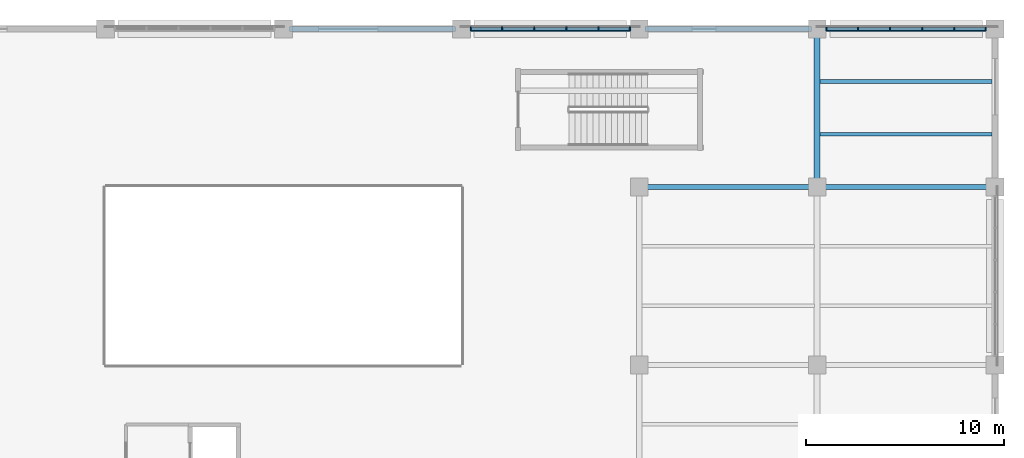
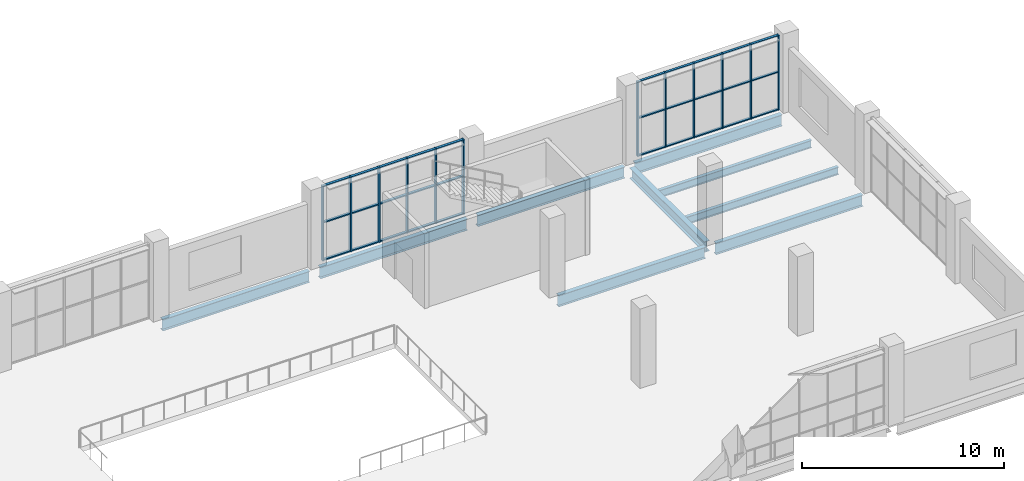
# One storey, part 70 of 183: 42 members, 9 beams, 2 elements without a shape of their own.
"""IFC4 building model written with IfcOpenShell, lengths in metres."""

import ifcopenshell
import ifcopenshell.guid

model = None  # the IFC model being written
_history = None  # IfcOwnerHistory: only IFC2X3 demands one
_inside = {}  # id of a spatial element -> (the spatial element, [elements in it])
_under = {}  # id of a project, library or spatial element -> (it, [spatial elements below it])
_declared = {}  # id of a project -> (the project, [libraries it declares])
_typed = {}  # id of a type object -> (the type object, [elements of that type])
_made_of = {}  # id of a material, layer set ... -> (it, [elements and type objects made of it])


def new_model(schema):
    """Start an empty IFC model of exactly this schema.

    Asked for "IFC4X3", IfcOpenShell would pick the latest addendum, in which some entities
    have other attributes; the version numbers below select the first issue.
    IFC2X3 requires an IfcOwnerHistory on every rooted entity: one is made here for all.
    """
    global model, _history
    if schema == "IFC4X3":
        model = ifcopenshell.file(schema_version=(4, 3, 0, 0))
    else:
        model = ifcopenshell.file(schema=schema)
    _inside.clear()
    _under.clear()
    _declared.clear()
    _typed.clear()
    _made_of.clear()
    _history = None
    if model.schema == "IFC2X3":
        org = make("IfcOrganization", Name="unknown")
        user = make(
            "IfcPersonAndOrganization",
            ThePerson=make("IfcPerson", FamilyName="unknown"),
            TheOrganization=org,
        )
        app = make(
            "IfcApplication",
            ApplicationDeveloper=org,
            Version="unknown",
            ApplicationFullName="unknown",
            ApplicationIdentifier="unknown",
        )
        _history = make(
            "IfcOwnerHistory",
            OwningUser=user,
            OwningApplication=app,
            ChangeAction="ADDED",
            CreationDate=0,
        )
    return model


def make(cls, **values):
    """One entity of the class cls with the attributes given. An attribute that is None is left unset."""
    return model.create_entity(
        cls, **{name: value for name, value in values.items() if value is not None}
    )


def rooted(cls, **values):
    """An entity with a GlobalId (a new one), such as an element, a storey or a relation."""
    return make(cls, GlobalId=ifcopenshell.guid.new(), OwnerHistory=_history, **values)


def si_unit(unit_type, name, prefix=None):
    """IfcSIUnit, for example si_unit("LENGTHUNIT", "METRE", prefix="MILLI")."""
    return make("IfcSIUnit", UnitType=unit_type, Prefix=prefix, Name=name)


def assignment(units):
    """IfcUnitAssignment: the units of a project."""
    return None if units is None else make("IfcUnitAssignment", Units=units)


def point(xyz):
    """IfcCartesianPoint."""
    return None if xyz is None else make("IfcCartesianPoint", Coordinates=xyz)


def direction(xyz):
    """IfcDirection."""
    return None if xyz is None else make("IfcDirection", DirectionRatios=xyz)


def frame(location, z_axis=None, x_axis=None):
    """IfcAxis2Placement3D, a coordinate frame: its origin and axes. An axis left out is left unset."""
    return make(
        "IfcAxis2Placement3D",
        Location=point(location),
        Axis=direction(z_axis),
        RefDirection=direction(x_axis),
    )


def frame_2d(location, x_axis=None):
    """IfcAxis2Placement2D, a coordinate frame in the plane: its origin and x axis."""
    return make(
        "IfcAxis2Placement2D", Location=point(location), RefDirection=direction(x_axis)
    )


def origin():
    """The frame at (0, 0, 0) with its axes left unset."""
    return frame((0.0, 0.0, 0.0))


def origin_2d():
    """The frame at (0, 0) in the plane with its x axis left unset."""
    return frame_2d((0.0, 0.0))


def place(relative_to, where):
    """IfcLocalPlacement: puts the frame where relative to a parent placement (None: the world)."""
    return make(
        "IfcLocalPlacement", PlacementRelTo=relative_to, RelativePlacement=where
    )


def context(
    kind, dimensions, precision=None, world=None, true_north=None, identifier=None
):
    """IfcGeometricRepresentationContext, for example the 3D "Model" context."""
    return make(
        "IfcGeometricRepresentationContext",
        ContextIdentifier=identifier,
        ContextType=kind,
        CoordinateSpaceDimension=dimensions,
        Precision=precision,
        WorldCoordinateSystem=world,
        TrueNorth=true_north,
    )


def subcontext(parent, identifier, kind, view, scale=None):
    """IfcGeometricRepresentationSubContext, for example "Body" below "Model"."""
    return make(
        "IfcGeometricRepresentationSubContext",
        ContextIdentifier=identifier,
        ContextType=kind,
        ParentContext=parent,
        TargetScale=scale,
        TargetView=view,
    )


def project(units=None, contexts=None):
    """IfcProject with its units and contexts."""
    return rooted(
        "IfcProject",
        Name="project",
        RepresentationContexts=contexts,
        UnitsInContext=assignment(units),
    )


def spatial(cls, under=None, at=None, **own):
    """A site, building, storey or space (cls), placed at a placement, below another one or the project."""
    s = rooted(cls, ObjectPlacement=at, **own)
    if under is not None:
        _under.setdefault(under.id(), (under, []))[1].append(s)
    return s


def profile(cls, at=None, kind="AREA", **sizes):
    """A parametric profile (cls). Its sizes go by their IFC names, for example OverallWidth=200.0."""
    return make(cls, ProfileType=kind, Position=at, **sizes)


def rectangle(**sizes):
    """IfcRectangleProfileDef."""
    return profile("IfcRectangleProfileDef", **sizes)


def i_section(**sizes):
    """IfcIShapeProfileDef."""
    return profile("IfcIShapeProfileDef", **sizes)


def extrude(swept, where, along, depth):
    """IfcExtrudedAreaSolid: the profile swept, set in the frame where, extruded along a direction by depth."""
    return make(
        "IfcExtrudedAreaSolid",
        SweptArea=swept,
        Position=where,
        ExtrudedDirection=direction(along),
        Depth=depth,
    )


def shape(context_of_items, identifier, shape_type, items):
    """IfcShapeRepresentation: the items that make up one representation, for example the "Body"."""
    return make(
        "IfcShapeRepresentation",
        ContextOfItems=context_of_items,
        RepresentationIdentifier=identifier,
        RepresentationType=shape_type,
        Items=items,
    )


def material(Name=None, Category=None):
    """IfcMaterial."""
    return make("IfcMaterial", Name=Name, Category=Category)


def material_profile(
    of_material, cross_section, Name=None, Category=None, Priority=None
):
    """IfcMaterialProfile: a cross section and its material."""
    return make(
        "IfcMaterialProfile",
        Name=Name,
        Material=of_material,
        Profile=cross_section,
        Priority=Priority,
        Category=Category,
    )


def profile_set(profiles, Name=None, composite=None):
    """IfcMaterialProfileSet."""
    return make(
        "IfcMaterialProfileSet",
        Name=Name,
        MaterialProfiles=profiles,
        CompositeProfile=composite,
    )


def made_of(thing, what):
    """Note that an element or type object is made of a material, layer set ...; save() writes the relation."""
    if what is not None:
        _made_of.setdefault(what.id(), (what, []))[1].append(thing)
    return thing


def type_object(cls, material=None, **own):
    """A type object (cls), such as IfcWallType, which elements share."""
    return made_of(rooted(cls, **own), material)


def element(
    cls,
    number,
    at=None,
    inside=None,
    cuts=None,
    type_object=None,
    material=None,
    context=None,
    identifier="Body",
    shape_type=None,
    held_by="IfcProductDefinitionShape",
    body=None,
    shapes=None,
    **own,
):
    """One element of the class cls, such as IfcWall. Its Tag is "e" and its number.

    at: its placement. inside: the storey or other place that contains it. cuts: it is an
    opening in that element (IfcRelVoidsElement). A single representation is given by context,
    identifier, shape_type and body (its items); several are given by shapes. held_by: the class
    of the entity that holds the representations. save() writes the other relations.
    """
    e = rooted(cls, Tag="e%d" % number, ObjectPlacement=at, **own)
    if body is not None:
        shapes = [shape(context, identifier, shape_type, body)]
    if shapes is not None:
        e.Representation = make(held_by, Representations=shapes)
    if inside is not None:
        _inside.setdefault(inside.id(), (inside, []))[1].append(e)
    if cuts is not None:
        rooted(
            "IfcRelVoidsElement", RelatingBuildingElement=cuts, RelatedOpeningElement=e
        )
    if type_object is not None:
        _typed.setdefault(type_object.id(), (type_object, []))[1].append(e)
    return made_of(e, material)


def aggregate(whole, parts):
    """IfcRelAggregates: a whole, such as a stair, and the parts it consists of."""
    return rooted("IfcRelAggregates", RelatingObject=whole, RelatedObjects=parts)


def save(model, path):
    """Write the relations noted so far, then the file.

    IfcRelAggregates (storeys below a building ...), IfcRelContainedInSpatialStructure (elements
    in a storey), IfcRelDefinesByType, IfcRelAssociatesMaterial and IfcRelDeclares: one each for
    every whole, place, type object, material and project.
    """
    for whole, parts in _under.values():
        aggregate(whole, parts)
    for where, things in _inside.values():
        rooted(
            "IfcRelContainedInSpatialStructure",
            RelatedElements=things,
            RelatingStructure=where,
        )
    for kind, things in _typed.values():
        rooted("IfcRelDefinesByType", RelatedObjects=things, RelatingType=kind)
    for what, things in _made_of.values():
        rooted("IfcRelAssociatesMaterial", RelatedObjects=things, RelatingMaterial=what)
    for by, libraries in _declared.values():
        rooted("IfcRelDeclares", RelatingContext=by, RelatedDefinitions=libraries)
    model.write(path)


model = new_model("IFC4")

# Units and contexts
model_context = context("Model", 3, precision=1e-05, world=origin(), true_north=direction((0.0, 1.0)))
body_context = subcontext(model_context, "Body", "Model", "MODEL_VIEW")
ifc_project = project(units=[si_unit("LENGTHUNIT", "METRE"), si_unit("AREAUNIT", "SQUARE_METRE"), si_unit("VOLUMEUNIT", "CUBIC_METRE"), si_unit("PLANEANGLEUNIT", "RADIAN"), si_unit("MASSUNIT", "GRAM", prefix="KILO")], contexts=[model_context])

# Site, building, storey
site_placement = place(None, origin())
site = spatial("IfcSite", under=ifc_project, at=site_placement, CompositionType="ELEMENT")
building_placement = place(site_placement, origin())
building = spatial("IfcBuilding", under=site, at=building_placement, Name="Zevraka Park Crest Stadium", CompositionType="ELEMENT")
storey_placement = place(building_placement, frame((0.0, 0.0, 5.39990234375)))
storey = spatial("IfcBuildingStorey", under=building, at=storey_placement, Name="L01", CompositionType="ELEMENT", Elevation=5.39990234375)

# Beams
ifc_material_1 = material(Name="Steel S355", Category="steel")
ifc_material_profile_1 = material_profile(ifc_material_1, i_section(OverallWidth=0.253662109375, OverallDepth=0.68359375, WebThickness=0.012451171875, FlangeThickness=0.01904296875, at=origin_2d()), Name="UKB 686x254x140")
ifc_profile_set_1 = profile_set([ifc_material_profile_1], Name="Steel S355")
beam_type_1 = type_object("IfcBeamType", Name="BG05", PredefinedType="BEAM", material=ifc_profile_set_1)
for number, where, z_axis, x_axis, name in (
    (1, (188.300048828125, 184.0, -0.649658203125), (1.0, 0.0, 0.0), (0.0, 1.0, 0.0), "Wing Girder BG05 L01-2122/W"),
    (2, (197.300048828125, 184.0, -0.649658203125), (1.0, 0.0, 0.0), (0.0, 1.0, 0.0), "Wing Girder BG05 L01-2223/W"),
    (3, (206.300048828125, 176.0, -0.649658203125), (1.0, 0.0, 0.0), (0.0, 1.0, 0.0), "Wing Girder BG05 L01-2324/V"),
    (4, (206.300048828125, 184.0, -0.649658203125), (1.0, 0.0, 0.0), (0.0, 1.0, 0.0), "Wing Girder BG05 L01-2324/W"),
    (5, (215.300048828125, 176.0, -0.649658203125), (1.0, 0.0, 0.0), (0.0, 1.0, 0.0), "Wing Girder BG05 L01-2425/V"),
    (6, (215.300048828125, 184.0, -0.649658203125), (1.0, 0.0, 0.0), (0.0, 1.0, 0.0), "Wing Girder BG05 L01-2425/W"),
):
    element("IfcBeam", number, at=place(storey_placement, frame(where, z_axis=z_axis, x_axis=x_axis)), inside=storey, type_object=beam_type_1, Name=name, PredefinedType="BEAM", context=body_context, shape_type="SweptSolid", body=[
        extrude(i_section(OverallWidth=0.253662109375, OverallDepth=0.68359375, WebThickness=0.012451171875, FlangeThickness=0.01904296875, at=origin_2d()), origin(), (0.0, 0.0, 1.0), 8.39990234375),
    ])
ifc_material_2 = material(Name="Steel S355", Category="steel")
ifc_material_profile_2 = material_profile(ifc_material_2, i_section(OverallWidth=0.300048828125, OverallDepth=0.64990234375, WebThickness=0.01611328125, FlangeThickness=0.031005859375, at=origin_2d()), Name="HEB 650")
ifc_profile_set_2 = profile_set([ifc_material_profile_2], Name="Steel S355")
beam_type_2 = type_object("IfcBeamType", Name="BG07", PredefinedType="BEAM", material=ifc_profile_set_2)
beam_placement = place(storey_placement, frame((215.0, 176.300048828125, -0.6328125), z_axis=(0.0, 1.0, 0.0), x_axis=(-1.0, 0.0, 0.0)))
element("IfcBeam", 7, at=beam_placement, inside=storey, type_object=beam_type_2, Name="Wing Girder BG07 L01-24/VW", PredefinedType="BEAM", context=body_context, shape_type="SweptSolid", body=[
    extrude(i_section(OverallWidth=0.300048828125, OverallDepth=0.64990234375, WebThickness=0.01611328125, FlangeThickness=0.031005859375, at=origin_2d()), origin(), (0.0, 0.0, 1.0), 7.39990234375),
])

# Curtain wall, members
ifc_material_3 = material(Name="Anodised architectural aluminium and laminated safety glass", Category="aluminium")
curtain_wall_type_1 = type_object("IfcCurtainWallType", Name="CW29", PredefinedType="NOTDEFINED", material=ifc_material_3)
curtain_wall_1_placement = place(storey_placement, origin())
curtain_wall_1 = element("IfcCurtainWall", 8, at=curtain_wall_1_placement, inside=storey, type_object=curtain_wall_type_1, Name="Wing Curtain Wall CW29 L01-NGATE-N-8", PredefinedType="NOTDEFINED")
ifc_material_4 = material(Name="Anodised architectural aluminium", Category="aluminium")
ifc_material_profile_3 = material_profile(ifc_material_4, rectangle(XDim=0.179931640625, YDim=0.06494140625, at=origin_2d()), Name="ALU MULLION 180x65")
ifc_profile_set_3 = profile_set([ifc_material_profile_3], Name="Anodised architectural aluminium")
member_type_1 = type_object("IfcMemberType", Name="CM02", PredefinedType="MULLION", material=ifc_profile_set_3)
member_1_placement = place(storey_placement, frame((215.472412109375, 184.0, 0.0), z_axis=(0.0, 0.0, 1.0), x_axis=(0.0, 1.0, 0.0)))
member_1 = element("IfcMember", 9, at=member_1_placement, type_object=member_type_1, Name="CW29 mullion 1", PredefinedType="MULLION", context=body_context, shape_type="SweptSolid", body=[
    extrude(rectangle(XDim=0.179931640625, YDim=0.06494140625, at=origin_2d()), origin(), (0.0, 0.0, 1.0), 4.52001953125),
])
member_2_placement = place(storey_placement, frame((217.06396484375, 184.0, 0.0), z_axis=(0.0, 0.0, 1.0), x_axis=(0.0, 1.0, 0.0)))
member_2 = element("IfcMember", 10, at=member_2_placement, type_object=member_type_1, Name="CW29 mullion 2", PredefinedType="MULLION", context=body_context, shape_type="SweptSolid", body=[
    extrude(rectangle(XDim=0.179931640625, YDim=0.06494140625, at=origin_2d()), origin(), (0.0, 0.0, 1.0), 4.52001953125),
])
member_3_placement = place(storey_placement, frame((218.68798828125, 184.0, 0.0), z_axis=(0.0, 0.0, 1.0), x_axis=(0.0, 1.0, 0.0)))
member_3 = element("IfcMember", 11, at=member_3_placement, type_object=member_type_1, Name="CW29 mullion 3", PredefinedType="MULLION", context=body_context, shape_type="SweptSolid", body=[
    extrude(rectangle(XDim=0.179931640625, YDim=0.06494140625, at=origin_2d()), origin(), (0.0, 0.0, 1.0), 4.52001953125),
])
member_4_placement = place(storey_placement, frame((220.31201171875, 184.0, 0.0), z_axis=(0.0, 0.0, 1.0), x_axis=(0.0, 1.0, 0.0)))
member_4 = element("IfcMember", 12, at=member_4_placement, type_object=member_type_1, Name="CW29 mullion 4", PredefinedType="MULLION", context=body_context, shape_type="SweptSolid", body=[
    extrude(rectangle(XDim=0.179931640625, YDim=0.06494140625, at=origin_2d()), origin(), (0.0, 0.0, 1.0), 4.52001953125),
])
member_5_placement = place(storey_placement, frame((221.93603515625, 184.0, 0.0), z_axis=(0.0, 0.0, 1.0), x_axis=(0.0, 1.0, 0.0)))
member_5 = element("IfcMember", 13, at=member_5_placement, type_object=member_type_1, Name="CW29 mullion 5", PredefinedType="MULLION", context=body_context, shape_type="SweptSolid", body=[
    extrude(rectangle(XDim=0.179931640625, YDim=0.06494140625, at=origin_2d()), origin(), (0.0, 0.0, 1.0), 4.52001953125),
])
member_6_placement = place(storey_placement, frame((223.527587890625, 184.0, 0.0), z_axis=(0.0, 0.0, 1.0), x_axis=(0.0, 1.0, 0.0)))
member_6 = element("IfcMember", 14, at=member_6_placement, type_object=member_type_1, Name="CW29 mullion 6", PredefinedType="MULLION", context=body_context, shape_type="SweptSolid", body=[
    extrude(rectangle(XDim=0.179931640625, YDim=0.06494140625, at=origin_2d()), origin(), (0.0, 0.0, 1.0), 4.52001953125),
])

ifc_material_5 = material(Name="Anodised architectural aluminium and laminated safety glass", Category="aluminium")
curtain_wall_type_2 = type_object("IfcCurtainWallType", Name="CW27", PredefinedType="NOTDEFINED", material=ifc_material_5)
curtain_wall_2_placement = place(storey_placement, origin())
curtain_wall_2 = element("IfcCurtainWall", 15, at=curtain_wall_2_placement, inside=storey, type_object=curtain_wall_type_2, Name="Wing Curtain Wall CW27 L01-NGATE-N-6", PredefinedType="NOTDEFINED")
ifc_material_6 = material(Name="Anodised architectural aluminium", Category="aluminium")
ifc_material_profile_4 = material_profile(ifc_material_6, rectangle(XDim=0.199951171875, YDim=0.070068359375, at=origin_2d()), Name="ALU MULLION 200x70")
ifc_profile_set_4 = profile_set([ifc_material_profile_4], Name="Anodised architectural aluminium")
member_type_2 = type_object("IfcMemberType", Name="CM03", PredefinedType="MULLION", material=ifc_profile_set_4)
member_7_placement = place(storey_placement, frame((197.47509765625, 184.0, 0.0), z_axis=(0.0, 0.0, 1.0), x_axis=(0.0, 1.0, 0.0)))
member_7 = element("IfcMember", 16, at=member_7_placement, type_object=member_type_2, Name="CW27 mullion 1", PredefinedType="MULLION", context=body_context, shape_type="SweptSolid", body=[
    extrude(rectangle(XDim=0.199951171875, YDim=0.070068359375, at=origin_2d()), origin(), (0.0, 0.0, 1.0), 4.52001953125),
])
member_8_placement = place(storey_placement, frame((199.06396484375, 184.0, 0.0), z_axis=(0.0, 0.0, 1.0), x_axis=(0.0, 1.0, 0.0)))
member_8 = element("IfcMember", 17, at=member_8_placement, type_object=member_type_2, Name="CW27 mullion 2", PredefinedType="MULLION", context=body_context, shape_type="SweptSolid", body=[
    extrude(rectangle(XDim=0.199951171875, YDim=0.070068359375, at=origin_2d()), origin(), (0.0, 0.0, 1.0), 4.52001953125),
])
member_9_placement = place(storey_placement, frame((200.68798828125, 184.0, 0.0), z_axis=(0.0, 0.0, 1.0), x_axis=(0.0, 1.0, 0.0)))
member_9 = element("IfcMember", 18, at=member_9_placement, type_object=member_type_2, Name="CW27 mullion 3", PredefinedType="MULLION", context=body_context, shape_type="SweptSolid", body=[
    extrude(rectangle(XDim=0.199951171875, YDim=0.070068359375, at=origin_2d()), origin(), (0.0, 0.0, 1.0), 4.52001953125),
])
member_10_placement = place(storey_placement, frame((202.31201171875, 184.0, 0.0), z_axis=(0.0, 0.0, 1.0), x_axis=(0.0, 1.0, 0.0)))
member_10 = element("IfcMember", 19, at=member_10_placement, type_object=member_type_2, Name="CW27 mullion 4", PredefinedType="MULLION", context=body_context, shape_type="SweptSolid", body=[
    extrude(rectangle(XDim=0.199951171875, YDim=0.070068359375, at=origin_2d()), origin(), (0.0, 0.0, 1.0), 4.52001953125),
])
member_11_placement = place(storey_placement, frame((203.93603515625, 184.0, 0.0), z_axis=(0.0, 0.0, 1.0), x_axis=(0.0, 1.0, 0.0)))
member_11 = element("IfcMember", 20, at=member_11_placement, type_object=member_type_2, Name="CW27 mullion 5", PredefinedType="MULLION", context=body_context, shape_type="SweptSolid", body=[
    extrude(rectangle(XDim=0.199951171875, YDim=0.070068359375, at=origin_2d()), origin(), (0.0, 0.0, 1.0), 4.52001953125),
])
member_12_placement = place(storey_placement, frame((205.52490234375, 184.0, 0.0), z_axis=(0.0, 0.0, 1.0), x_axis=(0.0, 1.0, 0.0)))
member_12 = element("IfcMember", 21, at=member_12_placement, type_object=member_type_2, Name="CW27 mullion 6", PredefinedType="MULLION", context=body_context, shape_type="SweptSolid", body=[
    extrude(rectangle(XDim=0.199951171875, YDim=0.070068359375, at=origin_2d()), origin(), (0.0, 0.0, 1.0), 4.52001953125),
])

# Member
ifc_material_7 = material(Name="Anodised architectural aluminium", Category="aluminium")
ifc_material_profile_5 = material_profile(ifc_material_7, rectangle(XDim=0.139892578125, YDim=0.06494140625, at=origin_2d()), Name="ALU TRANSOM 140x65")
ifc_profile_set_5 = profile_set([ifc_material_profile_5], Name="Anodised architectural aluminium")
member_type_3 = type_object("IfcMemberType", Name="CT02", PredefinedType="USERDEFINED", material=ifc_profile_set_5)
member_13_placement = place(storey_placement, frame((215.5048828125, 184.0, 0.03271484375), z_axis=(1.0, 0.0, 0.0), x_axis=(0.0, 1.0, 0.0)))
member_13 = element("IfcMember", 22, at=member_13_placement, type_object=member_type_3, Name="CW29 transom 1.1", ObjectType="TRANSOM", PredefinedType="USERDEFINED", context=body_context, shape_type="SweptSolid", body=[
    extrude(rectangle(XDim=0.139892578125, YDim=0.06494140625, at=origin_2d()), origin(), (0.0, 0.0, 1.0), 1.526611328125),
])

member_14_placement = place(storey_placement, frame((215.5048828125, 184.0, 2.300048828125), z_axis=(1.0, 0.0, 0.0), x_axis=(0.0, 1.0, 0.0)))
member_14 = element("IfcMember", 23, at=member_14_placement, type_object=member_type_3, Name="CW29 transom 1.2", ObjectType="TRANSOM", PredefinedType="USERDEFINED", context=body_context, shape_type="SweptSolid", body=[
    extrude(rectangle(XDim=0.139892578125, YDim=0.06494140625, at=origin_2d()), origin(), (0.0, 0.0, 1.0), 1.526611328125),
])

member_15_placement = place(storey_placement, frame((215.5048828125, 184.0, 4.487548828125), z_axis=(1.0, 0.0, 0.0), x_axis=(0.0, 1.0, 0.0)))
member_15 = element("IfcMember", 24, at=member_15_placement, type_object=member_type_3, Name="CW29 transom 1.3", ObjectType="TRANSOM", PredefinedType="USERDEFINED", context=body_context, shape_type="SweptSolid", body=[
    extrude(rectangle(XDim=0.139892578125, YDim=0.06494140625, at=origin_2d()), origin(), (0.0, 0.0, 1.0), 1.526611328125),
])

member_16_placement = place(storey_placement, frame((217.096435546875, 184.0, 0.03271484375), z_axis=(1.0, 0.0, 0.0), x_axis=(0.0, 1.0, 0.0)))
member_16 = element("IfcMember", 25, at=member_16_placement, type_object=member_type_3, Name="CW29 transom 2.1", ObjectType="TRANSOM", PredefinedType="USERDEFINED", context=body_context, shape_type="SweptSolid", body=[
    extrude(rectangle(XDim=0.139892578125, YDim=0.06494140625, at=origin_2d()), origin(), (0.0, 0.0, 1.0), 1.55908203125),
])

member_17_placement = place(storey_placement, frame((217.096435546875, 184.0, 2.300048828125), z_axis=(1.0, 0.0, 0.0), x_axis=(0.0, 1.0, 0.0)))
member_17 = element("IfcMember", 26, at=member_17_placement, type_object=member_type_3, Name="CW29 transom 2.2", ObjectType="TRANSOM", PredefinedType="USERDEFINED", context=body_context, shape_type="SweptSolid", body=[
    extrude(rectangle(XDim=0.139892578125, YDim=0.06494140625, at=origin_2d()), origin(), (0.0, 0.0, 1.0), 1.55908203125),
])

member_18_placement = place(storey_placement, frame((217.096435546875, 184.0, 4.487548828125), z_axis=(1.0, 0.0, 0.0), x_axis=(0.0, 1.0, 0.0)))
member_18 = element("IfcMember", 27, at=member_18_placement, type_object=member_type_3, Name="CW29 transom 2.3", ObjectType="TRANSOM", PredefinedType="USERDEFINED", context=body_context, shape_type="SweptSolid", body=[
    extrude(rectangle(XDim=0.139892578125, YDim=0.06494140625, at=origin_2d()), origin(), (0.0, 0.0, 1.0), 1.55908203125),
])

member_19_placement = place(storey_placement, frame((218.720458984375, 184.0, 0.03271484375), z_axis=(1.0, 0.0, 0.0), x_axis=(0.0, 1.0, 0.0)))
member_19 = element("IfcMember", 28, at=member_19_placement, type_object=member_type_3, Name="CW29 transom 3.1", ObjectType="TRANSOM", PredefinedType="USERDEFINED", context=body_context, shape_type="SweptSolid", body=[
    extrude(rectangle(XDim=0.139892578125, YDim=0.06494140625, at=origin_2d()), origin(), (0.0, 0.0, 1.0), 1.55908203125),
])

member_20_placement = place(storey_placement, frame((218.720458984375, 184.0, 2.300048828125), z_axis=(1.0, 0.0, 0.0), x_axis=(0.0, 1.0, 0.0)))
member_20 = element("IfcMember", 29, at=member_20_placement, type_object=member_type_3, Name="CW29 transom 3.2", ObjectType="TRANSOM", PredefinedType="USERDEFINED", context=body_context, shape_type="SweptSolid", body=[
    extrude(rectangle(XDim=0.139892578125, YDim=0.06494140625, at=origin_2d()), origin(), (0.0, 0.0, 1.0), 1.55908203125),
])

member_21_placement = place(storey_placement, frame((218.720458984375, 184.0, 4.487548828125), z_axis=(1.0, 0.0, 0.0), x_axis=(0.0, 1.0, 0.0)))
member_21 = element("IfcMember", 30, at=member_21_placement, type_object=member_type_3, Name="CW29 transom 3.3", ObjectType="TRANSOM", PredefinedType="USERDEFINED", context=body_context, shape_type="SweptSolid", body=[
    extrude(rectangle(XDim=0.139892578125, YDim=0.06494140625, at=origin_2d()), origin(), (0.0, 0.0, 1.0), 1.55908203125),
])

member_22_placement = place(storey_placement, frame((220.344482421875, 184.0, 0.03271484375), z_axis=(1.0, 0.0, 0.0), x_axis=(0.0, 1.0, 0.0)))
member_22 = element("IfcMember", 31, at=member_22_placement, type_object=member_type_3, Name="CW29 transom 4.1", ObjectType="TRANSOM", PredefinedType="USERDEFINED", context=body_context, shape_type="SweptSolid", body=[
    extrude(rectangle(XDim=0.139892578125, YDim=0.06494140625, at=origin_2d()), origin(), (0.0, 0.0, 1.0), 1.55908203125),
])

member_23_placement = place(storey_placement, frame((220.344482421875, 184.0, 2.300048828125), z_axis=(1.0, 0.0, 0.0), x_axis=(0.0, 1.0, 0.0)))
member_23 = element("IfcMember", 32, at=member_23_placement, type_object=member_type_3, Name="CW29 transom 4.2", ObjectType="TRANSOM", PredefinedType="USERDEFINED", context=body_context, shape_type="SweptSolid", body=[
    extrude(rectangle(XDim=0.139892578125, YDim=0.06494140625, at=origin_2d()), origin(), (0.0, 0.0, 1.0), 1.55908203125),
])

member_24_placement = place(storey_placement, frame((220.344482421875, 184.0, 4.487548828125), z_axis=(1.0, 0.0, 0.0), x_axis=(0.0, 1.0, 0.0)))
member_24 = element("IfcMember", 33, at=member_24_placement, type_object=member_type_3, Name="CW29 transom 4.3", ObjectType="TRANSOM", PredefinedType="USERDEFINED", context=body_context, shape_type="SweptSolid", body=[
    extrude(rectangle(XDim=0.139892578125, YDim=0.06494140625, at=origin_2d()), origin(), (0.0, 0.0, 1.0), 1.55908203125),
])

member_25_placement = place(storey_placement, frame((221.968505859375, 184.0, 0.03271484375), z_axis=(1.0, 0.0, 0.0), x_axis=(0.0, 1.0, 0.0)))
member_25 = element("IfcMember", 34, at=member_25_placement, type_object=member_type_3, Name="CW29 transom 5.1", ObjectType="TRANSOM", PredefinedType="USERDEFINED", context=body_context, shape_type="SweptSolid", body=[
    extrude(rectangle(XDim=0.139892578125, YDim=0.06494140625, at=origin_2d()), origin(), (0.0, 0.0, 1.0), 1.526611328125),
])

member_26_placement = place(storey_placement, frame((221.968505859375, 184.0, 2.300048828125), z_axis=(1.0, 0.0, 0.0), x_axis=(0.0, 1.0, 0.0)))
member_26 = element("IfcMember", 35, at=member_26_placement, type_object=member_type_3, Name="CW29 transom 5.2", ObjectType="TRANSOM", PredefinedType="USERDEFINED", context=body_context, shape_type="SweptSolid", body=[
    extrude(rectangle(XDim=0.139892578125, YDim=0.06494140625, at=origin_2d()), origin(), (0.0, 0.0, 1.0), 1.526611328125),
])

member_27_placement = place(storey_placement, frame((221.968505859375, 184.0, 4.487548828125), z_axis=(1.0, 0.0, 0.0), x_axis=(0.0, 1.0, 0.0)))
member_27 = element("IfcMember", 36, at=member_27_placement, type_object=member_type_3, Name="CW29 transom 5.3", ObjectType="TRANSOM", PredefinedType="USERDEFINED", context=body_context, shape_type="SweptSolid", body=[
    extrude(rectangle(XDim=0.139892578125, YDim=0.06494140625, at=origin_2d()), origin(), (0.0, 0.0, 1.0), 1.526611328125),
])

aggregate(curtain_wall_1, [member_1, member_2, member_3, member_4, member_5, member_6, member_13, member_14, member_15, member_16, member_17, member_18, member_19, member_20, member_21, member_22, member_23, member_24, member_25, member_26, member_27])

ifc_material_8 = material(Name="Anodised architectural aluminium", Category="aluminium")
ifc_material_profile_6 = material_profile(ifc_material_8, rectangle(XDim=0.14990234375, YDim=0.070068359375, at=origin_2d()), Name="ALU TRANSOM 150x70")
ifc_profile_set_6 = profile_set([ifc_material_profile_6], Name="Anodised architectural aluminium")
member_type_4 = type_object("IfcMemberType", Name="CT03", PredefinedType="USERDEFINED", material=ifc_profile_set_6)
member_28_placement = place(storey_placement, frame((197.510009765625, 184.0, 0.03515625), z_axis=(1.0, 0.0, 0.0), x_axis=(0.0, 1.0, 0.0)))
member_28 = element("IfcMember", 37, at=member_28_placement, type_object=member_type_4, Name="CW27 transom 1.1", ObjectType="TRANSOM", PredefinedType="USERDEFINED", context=body_context, shape_type="SweptSolid", body=[
    extrude(rectangle(XDim=0.14990234375, YDim=0.070068359375, at=origin_2d()), origin(), (0.0, 0.0, 1.0), 1.51904296875),
])

member_29_placement = place(storey_placement, frame((197.510009765625, 184.0, 2.300048828125), z_axis=(1.0, 0.0, 0.0), x_axis=(0.0, 1.0, 0.0)))
member_29 = element("IfcMember", 38, at=member_29_placement, type_object=member_type_4, Name="CW27 transom 1.2", ObjectType="TRANSOM", PredefinedType="USERDEFINED", context=body_context, shape_type="SweptSolid", body=[
    extrude(rectangle(XDim=0.14990234375, YDim=0.070068359375, at=origin_2d()), origin(), (0.0, 0.0, 1.0), 1.51904296875),
])

member_30_placement = place(storey_placement, frame((197.510009765625, 184.0, 4.485107421875), z_axis=(1.0, 0.0, 0.0), x_axis=(0.0, 1.0, 0.0)))
member_30 = element("IfcMember", 39, at=member_30_placement, type_object=member_type_4, Name="CW27 transom 1.3", ObjectType="TRANSOM", PredefinedType="USERDEFINED", context=body_context, shape_type="SweptSolid", body=[
    extrude(rectangle(XDim=0.14990234375, YDim=0.070068359375, at=origin_2d()), origin(), (0.0, 0.0, 1.0), 1.51904296875),
])

member_31_placement = place(storey_placement, frame((199.09912109375, 184.0, 0.03515625), z_axis=(1.0, 0.0, 0.0), x_axis=(0.0, 1.0, 0.0)))
member_31 = element("IfcMember", 40, at=member_31_placement, type_object=member_type_4, Name="CW27 transom 2.1", ObjectType="TRANSOM", PredefinedType="USERDEFINED", context=body_context, shape_type="SweptSolid", body=[
    extrude(rectangle(XDim=0.14990234375, YDim=0.070068359375, at=origin_2d()), origin(), (0.0, 0.0, 1.0), 1.553955078125),
])

member_32_placement = place(storey_placement, frame((199.09912109375, 184.0, 2.300048828125), z_axis=(1.0, 0.0, 0.0), x_axis=(0.0, 1.0, 0.0)))
member_32 = element("IfcMember", 41, at=member_32_placement, type_object=member_type_4, Name="CW27 transom 2.2", ObjectType="TRANSOM", PredefinedType="USERDEFINED", context=body_context, shape_type="SweptSolid", body=[
    extrude(rectangle(XDim=0.14990234375, YDim=0.070068359375, at=origin_2d()), origin(), (0.0, 0.0, 1.0), 1.553955078125),
])

member_33_placement = place(storey_placement, frame((199.09912109375, 184.0, 4.485107421875), z_axis=(1.0, 0.0, 0.0), x_axis=(0.0, 1.0, 0.0)))
member_33 = element("IfcMember", 42, at=member_33_placement, type_object=member_type_4, Name="CW27 transom 2.3", ObjectType="TRANSOM", PredefinedType="USERDEFINED", context=body_context, shape_type="SweptSolid", body=[
    extrude(rectangle(XDim=0.14990234375, YDim=0.070068359375, at=origin_2d()), origin(), (0.0, 0.0, 1.0), 1.553955078125),
])

member_34_placement = place(storey_placement, frame((200.722900390625, 184.0, 0.03515625), z_axis=(1.0, 0.0, 0.0), x_axis=(0.0, 1.0, 0.0)))
member_34 = element("IfcMember", 43, at=member_34_placement, type_object=member_type_4, Name="CW27 transom 3.1", ObjectType="TRANSOM", PredefinedType="USERDEFINED", context=body_context, shape_type="SweptSolid", body=[
    extrude(rectangle(XDim=0.14990234375, YDim=0.070068359375, at=origin_2d()), origin(), (0.0, 0.0, 1.0), 1.55419921875),
])

member_35_placement = place(storey_placement, frame((200.722900390625, 184.0, 2.300048828125), z_axis=(1.0, 0.0, 0.0), x_axis=(0.0, 1.0, 0.0)))
member_35 = element("IfcMember", 44, at=member_35_placement, type_object=member_type_4, Name="CW27 transom 3.2", ObjectType="TRANSOM", PredefinedType="USERDEFINED", context=body_context, shape_type="SweptSolid", body=[
    extrude(rectangle(XDim=0.14990234375, YDim=0.070068359375, at=origin_2d()), origin(), (0.0, 0.0, 1.0), 1.55419921875),
])

member_36_placement = place(storey_placement, frame((200.722900390625, 184.0, 4.485107421875), z_axis=(1.0, 0.0, 0.0), x_axis=(0.0, 1.0, 0.0)))
member_36 = element("IfcMember", 45, at=member_36_placement, type_object=member_type_4, Name="CW27 transom 3.3", ObjectType="TRANSOM", PredefinedType="USERDEFINED", context=body_context, shape_type="SweptSolid", body=[
    extrude(rectangle(XDim=0.14990234375, YDim=0.070068359375, at=origin_2d()), origin(), (0.0, 0.0, 1.0), 1.55419921875),
])

member_37_placement = place(storey_placement, frame((202.346923828125, 184.0, 0.03515625), z_axis=(1.0, 0.0, 0.0), x_axis=(0.0, 1.0, 0.0)))
member_37 = element("IfcMember", 46, at=member_37_placement, type_object=member_type_4, Name="CW27 transom 4.1", ObjectType="TRANSOM", PredefinedType="USERDEFINED", context=body_context, shape_type="SweptSolid", body=[
    extrude(rectangle(XDim=0.14990234375, YDim=0.070068359375, at=origin_2d()), origin(), (0.0, 0.0, 1.0), 1.553955078125),
])

member_38_placement = place(storey_placement, frame((202.346923828125, 184.0, 2.300048828125), z_axis=(1.0, 0.0, 0.0), x_axis=(0.0, 1.0, 0.0)))
member_38 = element("IfcMember", 47, at=member_38_placement, type_object=member_type_4, Name="CW27 transom 4.2", ObjectType="TRANSOM", PredefinedType="USERDEFINED", context=body_context, shape_type="SweptSolid", body=[
    extrude(rectangle(XDim=0.14990234375, YDim=0.070068359375, at=origin_2d()), origin(), (0.0, 0.0, 1.0), 1.553955078125),
])

member_39_placement = place(storey_placement, frame((202.346923828125, 184.0, 4.485107421875), z_axis=(1.0, 0.0, 0.0), x_axis=(0.0, 1.0, 0.0)))
member_39 = element("IfcMember", 48, at=member_39_placement, type_object=member_type_4, Name="CW27 transom 4.3", ObjectType="TRANSOM", PredefinedType="USERDEFINED", context=body_context, shape_type="SweptSolid", body=[
    extrude(rectangle(XDim=0.14990234375, YDim=0.070068359375, at=origin_2d()), origin(), (0.0, 0.0, 1.0), 1.553955078125),
])

member_40_placement = place(storey_placement, frame((203.970947265625, 184.0, 0.03515625), z_axis=(1.0, 0.0, 0.0), x_axis=(0.0, 1.0, 0.0)))
member_40 = element("IfcMember", 49, at=member_40_placement, type_object=member_type_4, Name="CW27 transom 5.1", ObjectType="TRANSOM", PredefinedType="USERDEFINED", context=body_context, shape_type="SweptSolid", body=[
    extrude(rectangle(XDim=0.14990234375, YDim=0.070068359375, at=origin_2d()), origin(), (0.0, 0.0, 1.0), 1.51904296875),
])

member_41_placement = place(storey_placement, frame((203.970947265625, 184.0, 2.300048828125), z_axis=(1.0, 0.0, 0.0), x_axis=(0.0, 1.0, 0.0)))
member_41 = element("IfcMember", 50, at=member_41_placement, type_object=member_type_4, Name="CW27 transom 5.2", ObjectType="TRANSOM", PredefinedType="USERDEFINED", context=body_context, shape_type="SweptSolid", body=[
    extrude(rectangle(XDim=0.14990234375, YDim=0.070068359375, at=origin_2d()), origin(), (0.0, 0.0, 1.0), 1.51904296875),
])

member_42_placement = place(storey_placement, frame((203.970947265625, 184.0, 4.485107421875), z_axis=(1.0, 0.0, 0.0), x_axis=(0.0, 1.0, 0.0)))
member_42 = element("IfcMember", 51, at=member_42_placement, type_object=member_type_4, Name="CW27 transom 5.3", ObjectType="TRANSOM", PredefinedType="USERDEFINED", context=body_context, shape_type="SweptSolid", body=[
    extrude(rectangle(XDim=0.14990234375, YDim=0.070068359375, at=origin_2d()), origin(), (0.0, 0.0, 1.0), 1.51904296875),
])

aggregate(curtain_wall_2, [member_7, member_8, member_9, member_10, member_11, member_12, member_28, member_29, member_30, member_31, member_32, member_33, member_34, member_35, member_36, member_37, member_38, member_39, member_40, member_41, member_42])

# Beams
ifc_material_9 = material(Name="Steel S355", Category="steel")
ifc_material_profile_7 = material_profile(ifc_material_9, i_section(OverallWidth=0.18994140625, OverallDepth=0.45703125, WebThickness=0.009033203125, FlangeThickness=0.014404296875, at=origin_2d()), Name="UKB 457x191x74")
ifc_profile_set_7 = profile_set([ifc_material_profile_7], Name="Steel S355")
beam_type_3 = type_object("IfcBeamType", Name="SJ12", PredefinedType="JOIST", material=ifc_profile_set_7)
for number, where, z_axis, x_axis, name in (
    (52, (215.14501953125, 178.6669921875, -0.538330078125), (1.0, 0.0, 0.0), (0.0, 1.0, 0.0), "Wing Joist SJ12 L01-24/V-1"),
    (53, (215.14501953125, 181.3330078125, -0.538330078125), (1.0, 0.0, 0.0), (0.0, 1.0, 0.0), "Wing Joist SJ12 L01-24/V-2"),
):
    element("IfcBeam", number, at=place(storey_placement, frame(where, z_axis=z_axis, x_axis=x_axis)), inside=storey, type_object=beam_type_3, Name=name, PredefinedType="JOIST", context=body_context, shape_type="SweptSolid", body=[
        extrude(i_section(OverallWidth=0.18994140625, OverallDepth=0.45703125, WebThickness=0.009033203125, FlangeThickness=0.014404296875, at=origin_2d()), origin(), (0.0, 0.0, 1.0), 8.7099609375),
    ])

save(model, "model.ifc")
